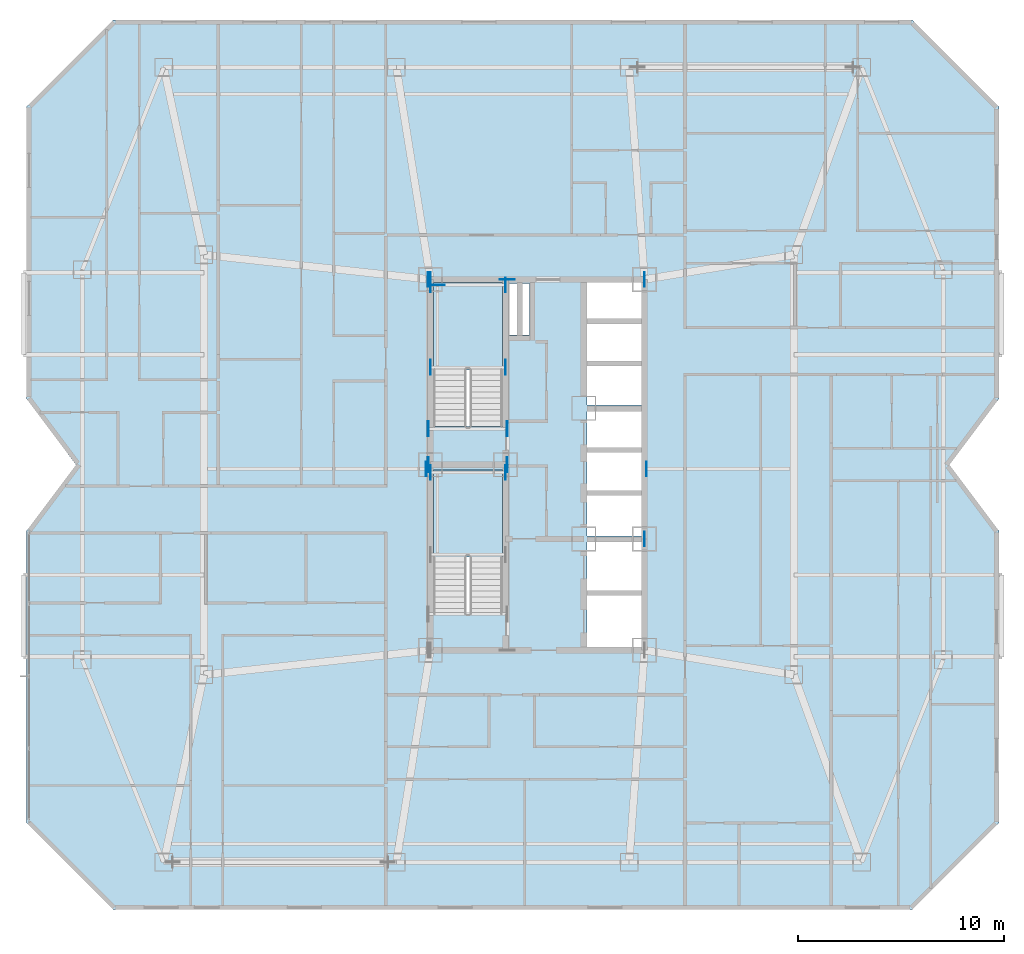
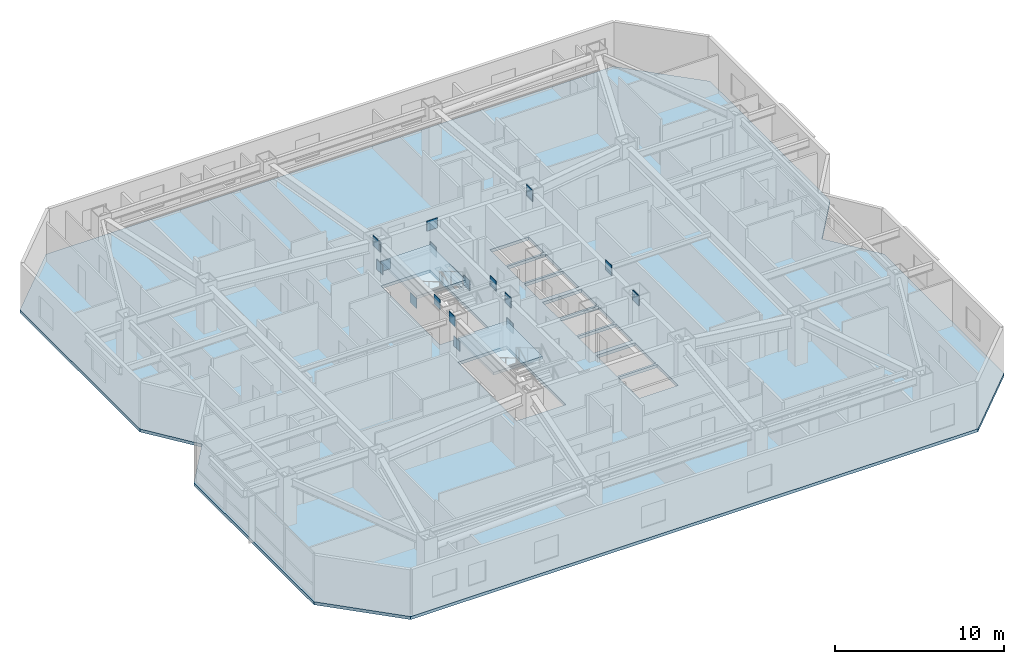
# One storey, part 8 of 17: 19 plates, 3 slabs, 2 elements without a shape of their own.
"""IFC4 building model written with IfcOpenShell, lengths in metres."""

from ifc_helpers import new_model, si_unit, direction, frame, origin, origin_2d, place, context, subcontext, project, spatial, polyline, rectangle, outline, extrude, material, layer, layer_set, type_object, element, aggregate, save


model = new_model("IFC4")

# Units and contexts
model_context = context("Model", 3, precision=1e-05, world=origin(), true_north=direction((0.0, 1.0)))
body_context = subcontext(model_context, "Body", "Model", "MODEL_VIEW")
ifc_project = project(units=[si_unit("LENGTHUNIT", "METRE"), si_unit("AREAUNIT", "SQUARE_METRE"), si_unit("VOLUMEUNIT", "CUBIC_METRE"), si_unit("PLANEANGLEUNIT", "RADIAN"), si_unit("MASSUNIT", "GRAM", prefix="KILO")], contexts=[model_context])

# Site, building, storey
site_placement = place(None, origin())
site = spatial("IfcSite", under=ifc_project, at=site_placement, CompositionType="ELEMENT")
building_placement = place(site_placement, origin())
building = spatial("IfcBuilding", under=site, at=building_placement, Name="Khamvora Tower", CompositionType="ELEMENT")
storey_placement = place(building_placement, frame((0.0, 0.0, 142.050048828125)))
storey = spatial("IfcBuildingStorey", under=building, at=storey_placement, Name="L36", CompositionType="ELEMENT", Elevation=142.050048828125)

# Plates
ifc_material_1 = material(Name="Steel S460", Category="steel")
ifc_layer_1 = layer(ifc_material_1, 0.034912109375)
ifc_layer_set_1 = layer_set([ifc_layer_1], Name="Steel S460")
plate_type = type_object("IfcPlateType", Name="PL-EMB-35", PredefinedType="SHEET", material=ifc_layer_set_1)
for number, where, z_axis, x_axis, name in (
    (1, (29.0, 27.6298828125, 1.1337890625), (0.0, 0.0, 1.0), (1.0, 0.0, 0.0), "L36 core shear wall cast-in embed plate 1050"),
    (2, (32.64990234375, 27.6298828125, 1.1337890625), (0.0, 0.0, 1.0), (1.0, 0.0, 0.0), "L36 core shear wall cast-in embed plate 1051"),
    (3, (29.0, 32.735107421875, 1.1337890625), (0.0, 0.0, 1.0), (1.0, 0.0, 0.0), "L36 core shear wall cast-in embed plate 1052"),
    (4, (32.64990234375, 32.735107421875, 1.1337890625), (0.0, 0.0, 1.0), (1.0, 0.0, 0.0), "L36 core shear wall cast-in embed plate 1053"),
    (5, (29.0, 36.72998046875, 1.1337890625), (0.0, 0.0, 1.0), (1.0, 0.0, 0.0), "L36 core shear wall cast-in embed plate 1054"),
    (6, (32.64990234375, 36.72998046875, 1.1337890625), (0.0, 0.0, 1.0), (1.0, 0.0, 0.0), "L36 core shear wall cast-in embed plate 1055"),
):
    element("IfcPlate", number, at=place(storey_placement, frame(where, z_axis=z_axis, x_axis=x_axis)), inside=storey, type_object=plate_type, Name=name, PredefinedType="SHEET", context=body_context, shape_type="SweptSolid", body=[
        extrude(rectangle(XDim=0.034912109375, YDim=0.719970703125, at=origin_2d()), origin(), (0.0, 0.0, 1.0), 0.719970703125),
    ])
plate_1_placement = place(storey_placement, frame((29.35009765625, 36.72998046875, 1.1337890625), z_axis=(0.0, 0.0, 1.0), x_axis=(1.0, 0.0, 0.0)))
element("IfcPlate", 7, at=plate_1_placement, inside=storey, type_object=plate_type, Name="L36 core shear wall cast-in embed plate 1056", PredefinedType="SHEET", context=body_context, shape_type="SweptSolid", body=[
    extrude(rectangle(XDim=0.719970703125, YDim=0.034912109375, at=origin_2d()), origin(), (0.0, 0.0, 1.0), 0.719970703125),
])
for number, where, z_axis, x_axis, name in (
    (8, (29.0, 37.0, 2.623046875), (0.0, 0.0, 1.0), (1.0, 0.0, 0.0), "L36 core shear wall cast-in embed plate 1059"),
    (9, (39.39990234375, 37.0, 2.623046875), (0.0, 0.0, 1.0), (1.0, 0.0, 0.0), "L36 core shear wall cast-in embed plate 1060"),
    (10, (28.89990234375, 28.0, 2.7431640625), (0.0, 0.0, 1.0), (1.0, 0.0, 0.0), "L36 core shear wall cast-in embed plate 1062"),
    (11, (28.89990234375, 37.0, 2.7431640625), (0.0, 0.0, 1.0), (1.0, 0.0, 0.0), "L36 core shear wall cast-in embed plate 1063"),
    (12, (32.72998046875, 28.0, 2.7431640625), (0.0, 0.0, 1.0), (1.0, 0.0, 0.0), "L36 core shear wall cast-in embed plate 1065"),
):
    element("IfcPlate", number, at=place(storey_placement, frame(where, z_axis=z_axis, x_axis=x_axis)), inside=storey, type_object=plate_type, Name=name, PredefinedType="SHEET", context=body_context, shape_type="SweptSolid", body=[
        extrude(rectangle(XDim=0.034912109375, YDim=0.719970703125, at=origin_2d()), origin(), (0.0, 0.0, 1.0), 0.719970703125),
    ])
plate_2_placement = place(storey_placement, frame((32.72998046875, 37.0, 2.7431640625), z_axis=(0.0, 0.0, 1.0), x_axis=(1.0, 0.0, 0.0)))
element("IfcPlate", 13, at=plate_2_placement, inside=storey, type_object=plate_type, Name="L36 core shear wall cast-in embed plate 1066", PredefinedType="SHEET", context=body_context, shape_type="SweptSolid", body=[
    extrude(rectangle(XDim=0.719970703125, YDim=0.034912109375, at=origin_2d()), origin(), (0.0, 0.0, 1.0), 0.719970703125),
])
for number, where, z_axis, x_axis, name in (
    (14, (39.39990234375, 24.39990234375, 2.7431640625), (0.0, 0.0, 1.0), (1.0, 0.0, 0.0), "L36 core shear wall cast-in embed plate 1068"),
    (15, (39.39990234375, 37.0, 2.7431640625), (0.0, 0.0, 1.0), (1.0, 0.0, 0.0), "L36 core shear wall cast-in embed plate 1069"),
    (16, (28.89990234375, 29.75, 2.8837890625), (0.0, 0.0, 1.0), (1.0, 0.0, 0.0), "L36 core shear wall cast-in embed plate 1072"),
    (17, (32.72998046875, 29.75, 2.8837890625), (0.0, 0.0, 1.0), (1.0, 0.0, 0.0), "L36 core shear wall cast-in embed plate 1073"),
    (18, (28.800048828125, 27.800048828125, 2.83203125), (0.0, 0.0, 1.0), (1.0, 0.0, 0.0), "L36 core shear wall cast-in embed plate 1074"),
    (19, (39.4990234375, 27.800048828125, 2.83203125), (0.0, 0.0, 1.0), (1.0, 0.0, 0.0), "L36 core shear wall cast-in embed plate 1075"),
):
    element("IfcPlate", number, at=place(storey_placement, frame(where, z_axis=z_axis, x_axis=x_axis)), inside=storey, type_object=plate_type, Name=name, PredefinedType="SHEET", context=body_context, shape_type="SweptSolid", body=[
        extrude(rectangle(XDim=0.034912109375, YDim=0.719970703125, at=origin_2d()), origin(), (0.0, 0.0, 1.0), 0.719970703125),
    ])

# Stair, slab
ifc_material_2 = material(Name="Concrete C40/50", Category="concrete")
stair_type_1 = type_object("IfcStairType", Name="STR-ST-01", PredefinedType="HALF_TURN_STAIR", material=ifc_material_2)
stair_1_placement = place(storey_placement, origin())
stair_1 = element("IfcStair", 20, at=stair_1_placement, inside=storey, type_object=stair_type_1, Name="L36 South Tower Exit Stair ST-01", PredefinedType="HALF_TURN_STAIR")
ifc_layer_2 = layer(ifc_material_2, 0.199951171875)
ifc_layer_set_2 = layer_set([ifc_layer_2], Name="Concrete C40/50")
slab_type_1 = type_object("IfcSlabType", Name="SLB-LND-200", PredefinedType="LANDING", material=ifc_layer_set_2)
slab_1_placement = place(storey_placement, frame((0.0, 0.0, 1.625)))
slab_1 = element("IfcSlab", 21, at=slab_1_placement, type_object=slab_type_1, Name="ST-01 landing 1", PredefinedType="LANDING", context=body_context, shape_type="SweptSolid", body=[
    extrude(outline(polyline([(32.5, 23.514892578125), (32.5, 27.75), (29.14990234375, 27.75), (29.14990234375, 23.514892578125), (32.5, 23.514892578125)])), origin(), (0.0, 0.0, 1.0), 0.199951171875),
])
aggregate(stair_1, [slab_1])

stair_type_2 = type_object("IfcStairType", Name="STR-ST-02", PredefinedType="HALF_TURN_STAIR", material=ifc_material_2)
stair_2_placement = place(storey_placement, origin())
stair_2 = element("IfcStair", 22, at=stair_2_placement, inside=storey, type_object=stair_type_2, Name="L36 North Tower Exit Stair ST-02", PredefinedType="HALF_TURN_STAIR")
slab_2_placement = place(storey_placement, frame((0.0, 0.0, 1.625)))
slab_2 = element("IfcSlab", 23, at=slab_2_placement, type_object=slab_type_1, Name="ST-02 landing 1", PredefinedType="LANDING", context=body_context, shape_type="SweptSolid", body=[
    extrude(outline(polyline([(32.5, 32.614990234375), (32.5, 36.85009765625), (29.14990234375, 36.85009765625), (29.14990234375, 32.614990234375), (32.5, 32.614990234375)])), origin(), (0.0, 0.0, 1.0), 0.199951171875),
])
aggregate(stair_2, [slab_2])

# Slab
ifc_material_3 = material(Name="Concrete C35/45", Category="concrete")
ifc_layer_3 = layer(ifc_material_3, 0.219970703125)
ifc_layer_set_3 = layer_set([ifc_layer_3], Name="Concrete C35/45")
slab_type_2 = type_object("IfcSlabType", Name="SLB-TYP-220", PredefinedType="FLOOR", material=ifc_layer_set_3)
slab_3_placement = place(storey_placement, frame((0.0, 0.0, -0.219970703125)))
element("IfcSlab", 24, at=slab_3_placement, inside=storey, type_object=slab_type_2, Name="L36 structural floor slab", PredefinedType="FLOOR", context=body_context, shape_type="SweptSolid", body=[
    extrude(outline(polyline([(13.60009765625, 6.39990234375), (52.39990234375, 6.39990234375), (56.60009765625, 10.60009765625), (56.60009765625, 24.800048828125), (54.199951171875, 28.0), (56.60009765625, 31.199951171875), (56.60009765625, 45.39990234375), (52.39990234375, 49.60009765625), (13.60009765625, 49.60009765625), (9.39990234375, 45.39990234375), (9.39990234375, 31.199951171875), (11.800048828125, 28.0), (9.39990234375, 24.800048828125), (9.39990234375, 10.60009765625), (13.60009765625, 6.39990234375)]), holes=[polyline([(32.5, 20.760009765625), (32.5, 27.75), (29.14990234375, 27.75), (29.14990234375, 20.760009765625), (32.5, 20.760009765625)]), polyline([(32.5, 29.860107421875), (32.5, 36.85009765625), (29.14990234375, 36.85009765625), (29.14990234375, 29.860107421875), (32.5, 29.860107421875)]), polyline([(36.60009765625, 19.14990234375), (39.25, 19.14990234375), (39.25, 21.64990234375), (36.60009765625, 21.64990234375), (36.60009765625, 19.14990234375)]), polyline([(36.60009765625, 21.800048828125), (39.25, 21.800048828125), (39.25, 24.25), (36.60009765625, 24.25), (36.60009765625, 21.800048828125)]), polyline([(36.60009765625, 24.550048828125), (39.25, 24.550048828125), (39.25, 26.5), (36.60009765625, 26.5), (36.60009765625, 24.550048828125)]), polyline([(36.60009765625, 26.64990234375), (39.25, 26.64990234375), (39.25, 28.60009765625), (36.60009765625, 28.60009765625), (36.60009765625, 26.64990234375)]), polyline([(36.60009765625, 28.75), (39.25, 28.75), (39.25, 30.60009765625), (36.60009765625, 30.60009765625), (36.60009765625, 28.75)]), polyline([(36.60009765625, 30.89990234375), (39.25, 30.89990234375), (39.25, 32.800048828125), (36.60009765625, 32.800048828125), (36.60009765625, 30.89990234375)]), polyline([(36.60009765625, 32.949951171875), (39.25, 32.949951171875), (39.25, 34.85009765625), (36.60009765625, 34.85009765625), (36.60009765625, 32.949951171875)]), polyline([(36.60009765625, 35.0), (39.25, 35.0), (39.25, 36.85009765625), (36.60009765625, 36.85009765625), (36.60009765625, 35.0)]), polyline([(32.800048828125, 34.300048828125), (33.199951171875, 34.300048828125), (33.199951171875, 36.800048828125), (32.800048828125, 36.800048828125), (32.800048828125, 34.300048828125)]), polyline([(33.47998046875, 34.300048828125), (33.820068359375, 34.300048828125), (33.820068359375, 36.800048828125), (33.47998046875, 36.800048828125), (33.47998046875, 34.300048828125)])]), origin(), (0.0, 0.0, 1.0), 0.219970703125),
])

save(model, "model.ifc")
